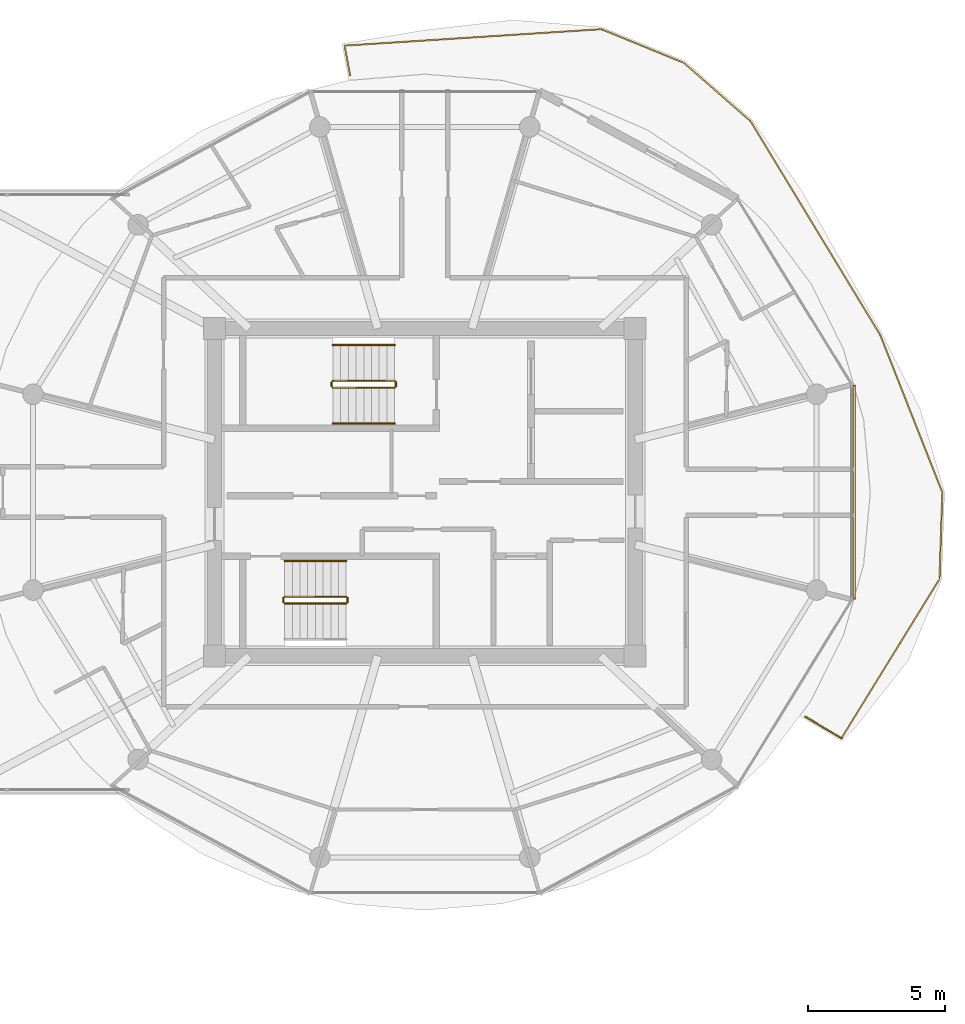
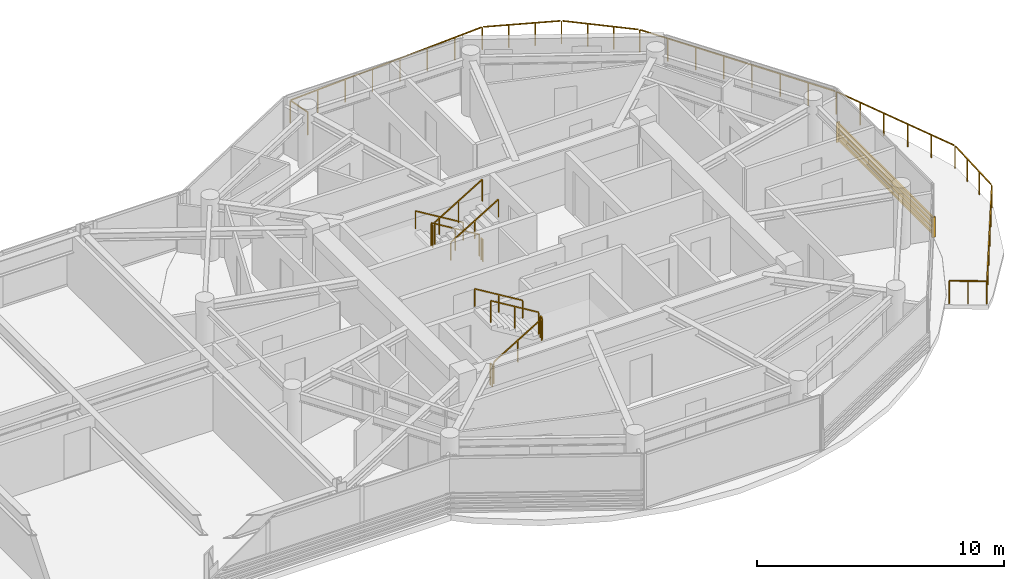
# One storey, part 23 of 23: 13 railings, 1 shading device.
"""IFC4 building model written with IfcOpenShell, lengths in metres."""

from ifc_helpers import new_model, si_unit, direction, frame, origin, origin_2d, place, context, subcontext, project, spatial, rectangle, extrude, source, transform, mapped, material, type_object, type_shapes, element, save


model = new_model("IFC4")

# Units and contexts
model_context = context("Model", 3, precision=1e-05, world=origin(), true_north=direction((0.0, 1.0)))
body_context = subcontext(model_context, "Body", "Model", "MODEL_VIEW")
ifc_project = project(units=[si_unit("LENGTHUNIT", "METRE"), si_unit("AREAUNIT", "SQUARE_METRE"), si_unit("VOLUMEUNIT", "CUBIC_METRE"), si_unit("PLANEANGLEUNIT", "RADIAN"), si_unit("MASSUNIT", "GRAM", prefix="KILO")], contexts=[model_context])

# Site, building, storey
site_placement = place(None, origin())
site = spatial("IfcSite", under=ifc_project, at=site_placement, CompositionType="ELEMENT")
building_placement = place(site_placement, origin())
building = spatial("IfcBuilding", under=site, at=building_placement, Name="Norrkilde Senior Care Towers", CompositionType="ELEMENT")
storey_placement = place(building_placement, frame((0.0, 0.0, 216.949951171875)))
storey = spatial("IfcBuildingStorey", under=building, at=storey_placement, Name="L67", CompositionType="ELEMENT", Elevation=216.949951171875)

# Railings
ifc_material_1 = material(Name="Anodised Aluminium", Category="aluminium")
railing_type_1 = type_object("IfcRailingType", Name="Balcony Swirl Ribbon Guardrail 1150", PredefinedType="GUARDRAIL", material=ifc_material_1)
railing_1_placement = place(storey_placement, frame((43.1513671875, -8.947998046875, 0.0)))
element("IfcRailing", 1, at=railing_1_placement, inside=storey, type_object=railing_type_1, Name="L67 Perimeter Safety Guard 01", PredefinedType="GUARDRAIL", context=body_context, shape_type="SweptSolid", body=[
    extrude(rectangle(XDim=0.048095703125, YDim=0.048095703125, at=origin_2d()), frame((0.0, 0.0, 1.1259765625), z_axis=(-0.858740836521, 0.512410163532, 0.0), x_axis=(-0.512410163532, -0.858740836521, 0.0)), (0.0, 0.0, 1.0), 1.533203125),
    extrude(rectangle(XDim=0.0419921875, YDim=0.0419921875, at=origin_2d()), origin(), (0.0, 0.0, 1.0), 1.099853515625),
    extrude(rectangle(XDim=0.0419921875, YDim=0.0419921875, at=origin_2d()), frame((-0.658203125, 0.392822265625, 0.0)), (0.0, 0.0, 1.0), 1.099853515625),
    extrude(rectangle(XDim=0.0419921875, YDim=0.0419921875, at=origin_2d()), frame((-1.316650390625, 0.78564453125, 0.0)), (0.0, 0.0, 1.0), 1.099853515625),
])
railing_2_placement = place(storey_placement, frame((25.28271484375, 15.157470703125, 0.0)))
element("IfcRailing", 2, at=railing_2_placement, inside=storey, type_object=railing_type_1, Name="L67 Perimeter Safety Guard 02", PredefinedType="GUARDRAIL", context=body_context, shape_type="SweptSolid", body=[
    extrude(rectangle(XDim=0.048095703125, YDim=0.048095703125, at=origin_2d()), frame((0.0, 0.0, 1.1259765625), z_axis=(-0.181676187229, 0.983358410242, 0.0), x_axis=(-0.983358410242, -0.181676187229, 0.0)), (0.0, 0.0, 1.0), 1.059814453125),
    extrude(rectangle(XDim=0.048095703125, YDim=0.048095703125, at=origin_2d()), frame((-0.1591796875, 1.0849609375, 1.1259765625), z_axis=(0.997958270058, 0.063869329284, 0.0), x_axis=(-0.063869329284, 0.997958270058, 0.0)), (0.0, 0.0, 1.0), 9.275634765625),
    extrude(rectangle(XDim=0.048095703125, YDim=0.048095703125, at=origin_2d()), frame((9.17626953125, 1.66455078125, 1.1259765625), z_axis=(0.925628542044, -0.378433352327, 0.0), x_axis=(0.378433352327, 0.925628542044, 0.0)), (0.0, 0.0, 1.0), 3.15869140625),
    extrude(rectangle(XDim=0.048095703125, YDim=0.048095703125, at=origin_2d()), frame((12.168701171875, 0.4267578125, 1.1259765625), z_axis=(0.752562623022, -0.658520689448, 0.0), x_axis=(0.658520689448, 0.752562623022, 0.0)), (0.0, 0.0, 1.0), 3.142578125),
    extrude(rectangle(XDim=0.048095703125, YDim=0.048095703125, at=origin_2d()), frame((14.585693359375, -1.70458984375, 1.1259765625), z_axis=(0.518499755653, -0.855077776221, 0.0), x_axis=(0.855077776221, 0.518499755653, 0.0)), (0.0, 0.0, 1.0), 9.015625),
    extrude(rectangle(XDim=0.048095703125, YDim=0.048095703125, at=origin_2d()), frame((19.29638671875, -9.48681640625, 1.1259765625), z_axis=(0.367004689152, -0.930219091473, 0.0), x_axis=(0.930219091473, 0.367004689152, 0.0)), (0.0, 0.0, 1.0), 6.066162109375),
    extrude(rectangle(XDim=0.048095703125, YDim=0.048095703125, at=origin_2d()), frame((21.536376953125, -15.20849609375, 1.1259765625), z_axis=(-0.032883580047, -0.999459188843, 0.0), x_axis=(0.999459188843, -0.032883580047, 0.0)), (0.0, 0.0, 1.0), 3.066162109375),
    extrude(rectangle(XDim=0.048095703125, YDim=0.048095703125, at=origin_2d()), frame((21.412841796875, -18.348876953125, 1.1259765625), z_axis=(-0.524275666664, -0.851548604217, 0.0), x_axis=(0.851548604217, -0.524275666664, 0.0)), (0.0, 0.0, 1.0), 6.76025390625),
    extrude(rectangle(XDim=0.0419921875, YDim=0.0419921875, at=origin_2d()), origin(), (0.0, 0.0, 1.0), 1.099853515625),
    extrude(rectangle(XDim=0.0419921875, YDim=0.0419921875, at=origin_2d()), frame((-0.199951171875, 1.082275390625, 0.0)), (0.0, 0.0, 1.0), 1.099853515625),
    extrude(rectangle(XDim=0.0419921875, YDim=0.0419921875, at=origin_2d()), frame((1.134033203125, 1.167724609375, 0.0)), (0.0, 0.0, 1.0), 1.099853515625),
    extrude(rectangle(XDim=0.0419921875, YDim=0.0419921875, at=origin_2d()), frame((2.46826171875, 1.2529296875, 0.0)), (0.0, 0.0, 1.0), 1.099853515625),
    extrude(rectangle(XDim=0.0419921875, YDim=0.0419921875, at=origin_2d()), frame((3.80224609375, 1.33837890625, 0.0)), (0.0, 0.0, 1.0), 1.099853515625),
    extrude(rectangle(XDim=0.0419921875, YDim=0.0419921875, at=origin_2d()), frame((5.13623046875, 1.423828125, 0.0)), (0.0, 0.0, 1.0), 1.099853515625),
    extrude(rectangle(XDim=0.0419921875, YDim=0.0419921875, at=origin_2d()), frame((6.47021484375, 1.50927734375, 0.0)), (0.0, 0.0, 1.0), 1.099853515625),
    extrude(rectangle(XDim=0.0419921875, YDim=0.0419921875, at=origin_2d()), frame((7.804443359375, 1.594482421875, 0.0)), (0.0, 0.0, 1.0), 1.099853515625),
    extrude(rectangle(XDim=0.0419921875, YDim=0.0419921875, at=origin_2d()), frame((9.138427734375, 1.679931640625, 0.0)), (0.0, 0.0, 1.0), 1.099853515625),
    extrude(rectangle(XDim=0.0419921875, YDim=0.0419921875, at=origin_2d()), frame((10.13818359375, 1.271240234375, 0.0)), (0.0, 0.0, 1.0), 1.099853515625),
    extrude(rectangle(XDim=0.0419921875, YDim=0.0419921875, at=origin_2d()), frame((11.13818359375, 0.8623046875, 0.0)), (0.0, 0.0, 1.0), 1.099853515625),
    extrude(rectangle(XDim=0.0419921875, YDim=0.0419921875, at=origin_2d()), frame((12.137939453125, 0.45361328125, 0.0)), (0.0, 0.0, 1.0), 1.099853515625),
    extrude(rectangle(XDim=0.0419921875, YDim=0.0419921875, at=origin_2d()), frame((12.94677734375, -0.254150390625, 0.0)), (0.0, 0.0, 1.0), 1.099853515625),
    extrude(rectangle(XDim=0.0419921875, YDim=0.0419921875, at=origin_2d()), frame((13.755615234375, -0.9619140625, 0.0)), (0.0, 0.0, 1.0), 1.099853515625),
    extrude(rectangle(XDim=0.0419921875, YDim=0.0419921875, at=origin_2d()), frame((14.564453125, -1.669677734375, 0.0)), (0.0, 0.0, 1.0), 1.099853515625),
    extrude(rectangle(XDim=0.0419921875, YDim=0.0419921875, at=origin_2d()), frame((15.23828125, -2.781005859375, 0.0)), (0.0, 0.0, 1.0), 1.099853515625),
    extrude(rectangle(XDim=0.0419921875, YDim=0.0419921875, at=origin_2d()), frame((15.912109375, -3.892333984375, 0.0)), (0.0, 0.0, 1.0), 1.099853515625),
    extrude(rectangle(XDim=0.0419921875, YDim=0.0419921875, at=origin_2d()), frame((16.5859375, -5.003662109375, 0.0)), (0.0, 0.0, 1.0), 1.099853515625),
    extrude(rectangle(XDim=0.0419921875, YDim=0.0419921875, at=origin_2d()), frame((17.260009765625, -6.11474609375, 0.0)), (0.0, 0.0, 1.0), 1.099853515625),
    extrude(rectangle(XDim=0.0419921875, YDim=0.0419921875, at=origin_2d()), frame((17.933837890625, -7.22607421875, 0.0)), (0.0, 0.0, 1.0), 1.099853515625),
    extrude(rectangle(XDim=0.0419921875, YDim=0.0419921875, at=origin_2d()), frame((18.607666015625, -8.33740234375, 0.0)), (0.0, 0.0, 1.0), 1.099853515625),
    extrude(rectangle(XDim=0.0419921875, YDim=0.0419921875, at=origin_2d()), frame((19.281494140625, -9.44873046875, 0.0)), (0.0, 0.0, 1.0), 1.099853515625),
    extrude(rectangle(XDim=0.0419921875, YDim=0.0419921875, at=origin_2d()), frame((19.732666015625, -10.592529296875, 0.0)), (0.0, 0.0, 1.0), 1.099853515625),
    extrude(rectangle(XDim=0.0419921875, YDim=0.0419921875, at=origin_2d()), frame((20.18408203125, -11.736328125, 0.0)), (0.0, 0.0, 1.0), 1.099853515625),
    extrude(rectangle(XDim=0.0419921875, YDim=0.0419921875, at=origin_2d()), frame((20.63525390625, -12.880126953125, 0.0)), (0.0, 0.0, 1.0), 1.099853515625),
    extrude(rectangle(XDim=0.0419921875, YDim=0.0419921875, at=origin_2d()), frame((21.086669921875, -14.02392578125, 0.0)), (0.0, 0.0, 1.0), 1.099853515625),
    extrude(rectangle(XDim=0.0419921875, YDim=0.0419921875, at=origin_2d()), frame((21.537841796875, -15.167724609375, 0.0)), (0.0, 0.0, 1.0), 1.099853515625),
    extrude(rectangle(XDim=0.0419921875, YDim=0.0419921875, at=origin_2d()), frame((21.50341796875, -16.216552734375, 0.0)), (0.0, 0.0, 1.0), 1.099853515625),
    extrude(rectangle(XDim=0.0419921875, YDim=0.0419921875, at=origin_2d()), frame((21.46875, -17.26513671875, 0.0)), (0.0, 0.0, 1.0), 1.099853515625),
    extrude(rectangle(XDim=0.0419921875, YDim=0.0419921875, at=origin_2d()), frame((21.434326171875, -18.31396484375, 0.0)), (0.0, 0.0, 1.0), 1.099853515625),
    extrude(rectangle(XDim=0.0419921875, YDim=0.0419921875, at=origin_2d()), frame((20.72119140625, -19.47216796875, 0.0)), (0.0, 0.0, 1.0), 1.099853515625),
    extrude(rectangle(XDim=0.0419921875, YDim=0.0419921875, at=origin_2d()), frame((20.008056640625, -20.630615234375, 0.0)), (0.0, 0.0, 1.0), 1.099853515625),
    extrude(rectangle(XDim=0.0419921875, YDim=0.0419921875, at=origin_2d()), frame((19.294921875, -21.788818359375, 0.0)), (0.0, 0.0, 1.0), 1.099853515625),
    extrude(rectangle(XDim=0.0419921875, YDim=0.0419921875, at=origin_2d()), frame((18.581787109375, -22.947265625, 0.0)), (0.0, 0.0, 1.0), 1.099853515625),
    extrude(rectangle(XDim=0.0419921875, YDim=0.0419921875, at=origin_2d()), frame((17.86865234375, -24.10546875, 0.0)), (0.0, 0.0, 1.0), 1.099853515625),
])
ifc_material_2 = material(Name="Stainless Steel", Category="steel")
railing_type_2 = type_object("IfcRailingType", Name="Stair and Terrace Guardrail 1100", PredefinedType="GUARDRAIL", material=ifc_material_2)
railing_3_placement = place(storey_placement, frame((26.89990234375, 4.050048828125, 0.16943359375)))
element("IfcRailing", 3, at=railing_3_placement, inside=storey, type_object=railing_type_2, Name="L67 ST-E1 stair guard 1", PredefinedType="GUARDRAIL", context=body_context, shape_type="SweptSolid", body=[
    extrude(rectangle(XDim=0.048095703125, YDim=0.048095703125, at=origin_2d()), frame((0.0, 0.0, 1.076171875), z_axis=(-0.855512035549, 0.0, 0.517782924622), x_axis=(0.0, -1.0, 0.0)), (0.0, 0.0, 1.0), 2.618408203125),
    extrude(rectangle(XDim=0.0419921875, YDim=0.0419921875, at=origin_2d()), origin(), (0.0, 0.0, 1.0), 1.050048828125),
    extrude(rectangle(XDim=0.0419921875, YDim=0.0419921875, at=origin_2d()), frame((-1.1201171875, 0.0, 0.677734375)), (0.0, 0.0, 1.0), 1.050048828125),
    extrude(rectangle(XDim=0.0419921875, YDim=0.0419921875, at=origin_2d()), frame((-2.239990234375, 0.0, 1.355712890625)), (0.0, 0.0, 1.0), 1.050048828125),
])
railing_4_placement = place(storey_placement, frame((24.610107421875, 4.0, 1.525146484375)))
element("IfcRailing", 4, at=railing_4_placement, inside=storey, type_object=railing_type_2, Name="L67 ST-E1 stair guard 2", PredefinedType="GUARDRAIL", context=body_context, shape_type="SweptSolid", body=[
    extrude(rectangle(XDim=0.048095703125, YDim=0.048095703125, at=origin_2d()), frame((0.0, 0.0, 1.076171875), z_axis=(0.0, -1.0, 0.0), x_axis=(1.0, 0.0, 0.0)), (0.0, 0.0, 1.0), 0.14990234375),
    extrude(rectangle(XDim=0.0419921875, YDim=0.0419921875, at=origin_2d()), origin(), (0.0, 0.0, 1.0), 1.050048828125),
    extrude(rectangle(XDim=0.0419921875, YDim=0.0419921875, at=origin_2d()), frame((0.0, -0.14990234375, 0.0)), (0.0, 0.0, 1.0), 1.050048828125),
])
railing_5_placement = place(storey_placement, frame((24.659912109375, 3.800048828125, 1.694580078125)))
element("IfcRailing", 5, at=railing_5_placement, inside=storey, type_object=railing_type_2, Name="L67 ST-E1 stair guard 3", PredefinedType="GUARDRAIL", context=body_context, shape_type="SweptSolid", body=[
    extrude(rectangle(XDim=0.048095703125, YDim=0.048095703125, at=origin_2d()), frame((0.0, 0.0, 1.076171875), z_axis=(0.855553338991, 0.0, 0.51771467445), x_axis=(0.0, 1.0, 0.0)), (0.0, 0.0, 1.0), 2.6181640625),
    extrude(rectangle(XDim=0.0419921875, YDim=0.0419921875, at=origin_2d()), origin(), (0.0, 0.0, 1.0), 1.050048828125),
    extrude(rectangle(XDim=0.0419921875, YDim=0.0419921875, at=origin_2d()), frame((1.1201171875, 0.0, 0.677734375)), (0.0, 0.0, 1.0), 1.050048828125),
    extrude(rectangle(XDim=0.0419921875, YDim=0.0419921875, at=origin_2d()), frame((2.239990234375, 0.0, 1.35546875)), (0.0, 0.0, 1.0), 1.050048828125),
])
railing_6_placement = place(storey_placement, frame((26.949951171875, 4.0, 0.0)))
element("IfcRailing", 6, at=railing_6_placement, inside=storey, type_object=railing_type_2, Name="L67 ST-E1 stair guard 4", PredefinedType="GUARDRAIL", context=body_context, shape_type="SweptSolid", body=[
    extrude(rectangle(XDim=0.048095703125, YDim=0.048095703125, at=origin_2d()), frame((0.0, 0.0, 1.076171875), z_axis=(0.0, -1.0, 0.0), x_axis=(1.0, 0.0, 0.0)), (0.0, 0.0, 1.0), 0.14990234375),
    extrude(rectangle(XDim=0.0419921875, YDim=0.0419921875, at=origin_2d()), origin(), (0.0, 0.0, 1.0), 1.050048828125),
    extrude(rectangle(XDim=0.0419921875, YDim=0.0419921875, at=origin_2d()), frame((0.0, -0.14990234375, 0.0)), (0.0, 0.0, 1.0), 1.050048828125),
])
railing_7_placement = place(storey_placement, frame((22.89990234375, -4.050048828125, 0.16943359375)))
element("IfcRailing", 7, at=railing_7_placement, inside=storey, type_object=railing_type_2, Name="L67 ST-E2 stair guard 1", PredefinedType="GUARDRAIL", context=body_context, shape_type="SweptSolid", body=[
    extrude(rectangle(XDim=0.048095703125, YDim=0.048095703125, at=origin_2d()), frame((0.0, 0.0, 1.076171875), z_axis=(0.855512035549, 0.0, 0.517782924622), x_axis=(0.0, 1.0, 0.0)), (0.0, 0.0, 1.0), 2.618408203125),
    extrude(rectangle(XDim=0.0419921875, YDim=0.0419921875, at=origin_2d()), origin(), (0.0, 0.0, 1.0), 1.050048828125),
    extrude(rectangle(XDim=0.0419921875, YDim=0.0419921875, at=origin_2d()), frame((1.1201171875, 0.0, 0.677734375)), (0.0, 0.0, 1.0), 1.050048828125),
    extrude(rectangle(XDim=0.0419921875, YDim=0.0419921875, at=origin_2d()), frame((2.239990234375, 0.0, 1.355712890625)), (0.0, 0.0, 1.0), 1.050048828125),
])
railing_8_placement = place(storey_placement, frame((25.18994140625, -4.0, 1.525146484375)))
element("IfcRailing", 8, at=railing_8_placement, inside=storey, type_object=railing_type_2, Name="L67 ST-E2 stair guard 2", PredefinedType="GUARDRAIL", context=body_context, shape_type="SweptSolid", body=[
    extrude(rectangle(XDim=0.048095703125, YDim=0.048095703125, at=origin_2d()), frame((0.0, 0.0, 1.076171875), z_axis=(0.0, 1.0, 0.0), x_axis=(-1.0, 0.0, 0.0)), (0.0, 0.0, 1.0), 0.14990234375),
    extrude(rectangle(XDim=0.0419921875, YDim=0.0419921875, at=origin_2d()), origin(), (0.0, 0.0, 1.0), 1.050048828125),
    extrude(rectangle(XDim=0.0419921875, YDim=0.0419921875, at=origin_2d()), frame((0.0, 0.14990234375, 0.0)), (0.0, 0.0, 1.0), 1.050048828125),
])
railing_9_placement = place(storey_placement, frame((25.139892578125, -3.800048828125, 1.694580078125)))
element("IfcRailing", 9, at=railing_9_placement, inside=storey, type_object=railing_type_2, Name="L67 ST-E2 stair guard 3", PredefinedType="GUARDRAIL", context=body_context, shape_type="SweptSolid", body=[
    extrude(rectangle(XDim=0.048095703125, YDim=0.048095703125, at=origin_2d()), frame((0.0, 0.0, 1.076171875), z_axis=(-0.855553338991, 0.0, 0.51771467445), x_axis=(0.0, -1.0, 0.0)), (0.0, 0.0, 1.0), 2.6181640625),
    extrude(rectangle(XDim=0.0419921875, YDim=0.0419921875, at=origin_2d()), origin(), (0.0, 0.0, 1.0), 1.050048828125),
    extrude(rectangle(XDim=0.0419921875, YDim=0.0419921875, at=origin_2d()), frame((-1.1201171875, 0.0, 0.677734375)), (0.0, 0.0, 1.0), 1.050048828125),
    extrude(rectangle(XDim=0.0419921875, YDim=0.0419921875, at=origin_2d()), frame((-2.239990234375, 0.0, 1.35546875)), (0.0, 0.0, 1.0), 1.050048828125),
])
railing_10_placement = place(storey_placement, frame((22.85009765625, -4.0, 0.0)))
element("IfcRailing", 10, at=railing_10_placement, inside=storey, type_object=railing_type_2, Name="L67 ST-E2 stair guard 4", PredefinedType="GUARDRAIL", context=body_context, shape_type="SweptSolid", body=[
    extrude(rectangle(XDim=0.048095703125, YDim=0.048095703125, at=origin_2d()), frame((0.0, 0.0, 1.076171875), z_axis=(0.0, 1.0, 0.0), x_axis=(-1.0, 0.0, 0.0)), (0.0, 0.0, 1.0), 0.14990234375),
    extrude(rectangle(XDim=0.0419921875, YDim=0.0419921875, at=origin_2d()), origin(), (0.0, 0.0, 1.0), 1.050048828125),
    extrude(rectangle(XDim=0.0419921875, YDim=0.0419921875, at=origin_2d()), frame((0.0, 0.14990234375, 0.0)), (0.0, 0.0, 1.0), 1.050048828125),
])
ifc_material_3 = material(Name="Nordic Ash Timber", Category="wood")
railing_type_3 = type_object("IfcRailingType", Name="Wall and Stair Handrail 900", PredefinedType="HANDRAIL", material=ifc_material_3)
railing_11_placement = place(storey_placement, frame((26.89990234375, 5.35009765625, 0.16943359375)))
element("IfcRailing", 11, at=railing_11_placement, inside=storey, type_object=railing_type_3, Name="L67 ST-E1 stair handrail 1", PredefinedType="HANDRAIL", context=body_context, shape_type="SweptSolid", body=[
    extrude(rectangle(XDim=0.048095703125, YDim=0.048095703125, at=origin_2d()), frame((0.0, 0.0, 0.8759765625), z_axis=(-0.855512035549, 0.0, 0.517782924622), x_axis=(0.0, -1.0, 0.0)), (0.0, 0.0, 1.0), 2.618408203125),
    extrude(rectangle(XDim=0.0419921875, YDim=0.0419921875, at=origin_2d()), origin(), (0.0, 0.0, 1.0), 0.849853515625),
    extrude(rectangle(XDim=0.0419921875, YDim=0.0419921875, at=origin_2d()), frame((-1.1201171875, 0.0, 0.677734375)), (0.0, 0.0, 1.0), 0.849853515625),
    extrude(rectangle(XDim=0.0419921875, YDim=0.0419921875, at=origin_2d()), frame((-2.239990234375, 0.0, 1.355712890625)), (0.0, 0.0, 1.0), 0.849853515625),
])
railing_12_placement = place(storey_placement, frame((24.659912109375, 2.5, 1.694580078125)))
element("IfcRailing", 12, at=railing_12_placement, inside=storey, type_object=railing_type_3, Name="L67 ST-E1 stair handrail 2", PredefinedType="HANDRAIL", context=body_context, shape_type="SweptSolid", body=[
    extrude(rectangle(XDim=0.048095703125, YDim=0.048095703125, at=origin_2d()), frame((0.0, 0.0, 0.8759765625), z_axis=(0.855553338991, 0.0, 0.51771467445), x_axis=(0.0, 1.0, 0.0)), (0.0, 0.0, 1.0), 2.6181640625),
    extrude(rectangle(XDim=0.0419921875, YDim=0.0419921875, at=origin_2d()), origin(), (0.0, 0.0, 1.0), 0.849853515625),
    extrude(rectangle(XDim=0.0419921875, YDim=0.0419921875, at=origin_2d()), frame((1.1201171875, 0.0, 0.677734375)), (0.0, 0.0, 1.0), 0.849853515625),
    extrude(rectangle(XDim=0.0419921875, YDim=0.0419921875, at=origin_2d()), frame((2.239990234375, 0.0, 1.35546875)), (0.0, 0.0, 1.0), 0.849853515625),
])
railing_13_placement = place(storey_placement, frame((25.139892578125, -2.5, 1.694580078125)))
element("IfcRailing", 13, at=railing_13_placement, inside=storey, type_object=railing_type_3, Name="L67 ST-E2 stair handrail 2", PredefinedType="HANDRAIL", context=body_context, shape_type="SweptSolid", body=[
    extrude(rectangle(XDim=0.048095703125, YDim=0.048095703125, at=origin_2d()), frame((0.0, 0.0, 0.8759765625), z_axis=(-0.855553338991, 0.0, 0.51771467445), x_axis=(0.0, -1.0, 0.0)), (0.0, 0.0, 1.0), 2.6181640625),
    extrude(rectangle(XDim=0.0419921875, YDim=0.0419921875, at=origin_2d()), origin(), (0.0, 0.0, 1.0), 0.849853515625),
    extrude(rectangle(XDim=0.0419921875, YDim=0.0419921875, at=origin_2d()), frame((-1.1201171875, 0.0, 0.677734375)), (0.0, 0.0, 1.0), 0.849853515625),
    extrude(rectangle(XDim=0.0419921875, YDim=0.0419921875, at=origin_2d()), frame((-2.239990234375, 0.0, 1.35546875)), (0.0, 0.0, 1.0), 0.849853515625),
])

# Shading device
ifc_material_4 = material(Name="Architectural Terracotta", Category="masonry")
shading_device_type = type_object("IfcShadingDeviceType", Name="Horizontal Terracotta Baguette Rack", PredefinedType="USERDEFINED", material=ifc_material_4)
shared_shape = source(origin(), body_context, "Body", "SweptSolid", [
    extrude(rectangle(XDim=0.070068359375, YDim=0.110107421875, at=origin_2d()), frame((0.0, 0.090087890625, 0.125), z_axis=(1.0, 0.0, 0.0), x_axis=(0.0, 1.0, 0.0)), (0.0, 0.0, 1.0), 7.80615234375),
    extrude(rectangle(XDim=0.070068359375, YDim=0.110107421875, at=origin_2d()), frame((0.0, 0.090087890625, 0.375), z_axis=(1.0, 0.0, 0.0), x_axis=(0.0, 1.0, 0.0)), (0.0, 0.0, 1.0), 7.80615234375),
    extrude(rectangle(XDim=0.070068359375, YDim=0.110107421875, at=origin_2d()), frame((0.0, 0.090087890625, 0.625), z_axis=(1.0, 0.0, 0.0), x_axis=(0.0, 1.0, 0.0)), (0.0, 0.0, 1.0), 7.80615234375),
    extrude(rectangle(XDim=0.070068359375, YDim=0.110107421875, at=origin_2d()), frame((0.0, 0.090087890625, 0.875), z_axis=(1.0, 0.0, 0.0), x_axis=(0.0, 1.0, 0.0)), (0.0, 0.0, 1.0), 7.80615234375),
    extrude(rectangle(XDim=0.050048828125, YDim=0.1552734375, at=origin_2d()), frame((0.02490234375, 0.047607421875, 0.0)), (0.0, 0.0, 1.0), 1.0),
    extrude(rectangle(XDim=0.050048828125, YDim=0.1552734375, at=origin_2d()), frame((7.78125, 0.047607421875, 0.0)), (0.0, 0.0, 1.0), 1.0),
])
type_shapes(shading_device_type, [shared_shape])
shading_device_placement = place(storey_placement, frame((43.531982421875, 3.903076171875, 0.080078125), z_axis=(0.0, 0.0, 1.0), x_axis=(0.0, -1.0, 0.0)))
element("IfcShadingDevice", 14, at=shading_device_placement, inside=storey, type_object=shading_device_type, Name="L67 Drum E Terracotta Baguette Screen 11", ObjectType="BAGUETTE", PredefinedType="USERDEFINED", context=body_context, shape_type="MappedRepresentation", body=[
    mapped(shared_shape, transform((0.0, 0.0, 0.0), x_axis=(1.0, 0.0, 0.0), y_axis=(0.0, 1.0, 0.0), z_axis=(0.0, 0.0, 1.0), scale=1.0)),
])

save(model, "model.ifc")
